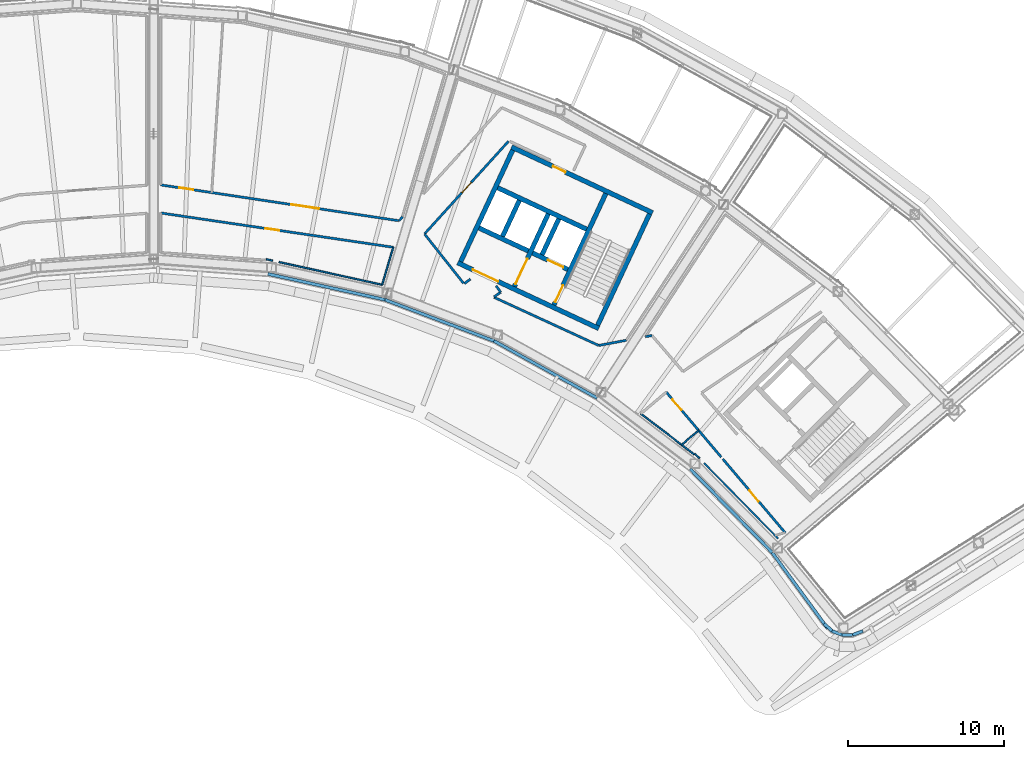
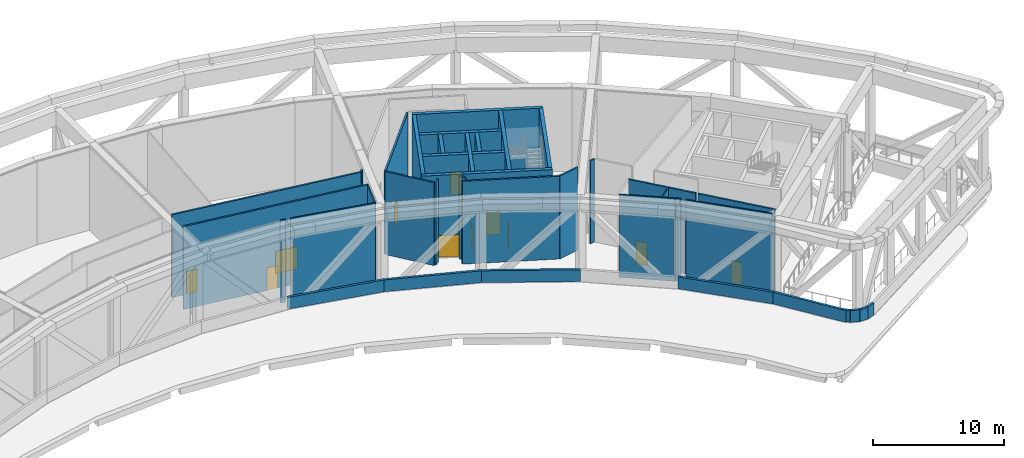
# One storey, part 10 of 27: 40 walls, 11 doors, 11 openings.
"""IFC4 building model written with IfcOpenShell, lengths in metres."""

from ifc_helpers import new_model, si_unit, direction, frame, frame_2d, origin, place, context, subcontext, project, spatial, rectangle, extrude, material, layer, layer_set, type_object, element, fill, save


model = new_model("IFC4")

# Units and contexts
model_context = context("Model", 3, precision=1e-05, world=origin(), true_north=direction((0.0, 1.0)))
body_context = subcontext(model_context, "Body", "Model", "MODEL_VIEW")
ifc_project = project(units=[si_unit("LENGTHUNIT", "METRE"), si_unit("AREAUNIT", "SQUARE_METRE"), si_unit("VOLUMEUNIT", "CUBIC_METRE"), si_unit("PLANEANGLEUNIT", "RADIAN"), si_unit("MASSUNIT", "GRAM", prefix="KILO")], contexts=[model_context])

# Site, building, storey
site_placement = place(None, origin())
site = spatial("IfcSite", under=ifc_project, at=site_placement, CompositionType="ELEMENT")
building_placement = place(site_placement, origin())
building = spatial("IfcBuilding", under=site, at=building_placement, Name="Tuul Gate Civic Tower", CompositionType="ELEMENT")
storey_placement = place(building_placement, frame((0.0, 0.0, 201.5)))
storey = spatial("IfcBuildingStorey", under=building, at=storey_placement, Name="Wind floor 1", CompositionType="ELEMENT", Elevation=201.5)

# Wall, opening, door
ifc_material_1 = material(Name="Concrete C50/60", Category="concrete")
ifc_layer_1 = layer(ifc_material_1, 0.300048828125)
ifc_layer_set_1 = layer_set([ifc_layer_1], Name="Concrete C50/60")
wall_type_1 = type_object("IfcWallType", Name="Core wall C50/60", PredefinedType="SHEAR", material=ifc_layer_set_1)
wall_1_placement = place(storey_placement, frame((34.5283203125, -7.25, 0.0), z_axis=(0.0, 0.0, 1.0), x_axis=(-0.906310338845, 0.422612789327, 0.0)))
wall_1 = element("IfcWall", 1, at=wall_1_placement, inside=storey, type_object=wall_type_1, Name="Core wall", PredefinedType="SHEAR", context=body_context, shape_type="SweptSolid", body=[
    extrude(rectangle(XDim=9.999755859375, YDim=0.300048828125, at=frame_2d((5.0, 0.0))), origin(), (0.0, 0.0, 1.0), 7.699951171875),
])
opening_1_placement = place(wall_1_placement, frame((7.125, 0.0, 0.0)))
opening_1 = element("IfcOpeningElement", 2, at=opening_1_placement, cuts=wall_1, Name="Opening LB-E3-LOBBY-1", PredefinedType="OPENING", context=body_context, shape_type="SweptSolid", body=[
    extrude(rectangle(XDim=1.800048828125, YDim=2.10009765625, at=frame_2d((0.89990234375, 1.050048828125))), frame((0.0, 0.16015625, 0.0), z_axis=(0.0, -1.0, 0.0), x_axis=(1.0, 0.0, 0.0)), (0.0, 0.0, 1.0), 0.320068359375),
])
ifc_material_2 = material(Name="Steel", Category="steel")
door_type_1 = type_object("IfcDoorType", Name="Lobby door", OperationType="DOUBLE_DOOR_SINGLE_SWING", PredefinedType="DOOR", material=ifc_material_2)
door_1_placement = place(opening_1_placement, frame((1.800048828125, 0.0, 0.0), z_axis=(0.0, 0.0, 1.0), x_axis=(-1.0, 0.0, 0.0)))
door_1 = element("IfcDoor", 3, at=door_1_placement, inside=storey, type_object=door_type_1, Name="Lobby door E3-LOBBY", OperationType="DOUBLE_DOOR_SINGLE_SWING", OverallHeight=2.10009765625, OverallWidth=1.800048828125, PredefinedType="DOOR", context=body_context, shape_type="SweptSolid", body=[
    extrude(rectangle(XDim=1.800048828125, YDim=2.10009765625, at=frame_2d((0.900146484375, 1.050048828125))), frame((0.0, 0.02490234375, 0.0), z_axis=(0.0, -1.0, 0.0), x_axis=(1.0, 0.0, 0.0)), (0.0, 0.0, 1.0), 0.050048828125),
])
fill(opening_1, door_1)

wall_2_placement = place(storey_placement, frame((32.545654296875, -3.456787109375, 0.0), z_axis=(0.0, 0.0, 1.0), x_axis=(-0.906300357825, 0.42263419337, 0.0)))
wall_2 = element("IfcWall", 4, at=wall_2_placement, inside=storey, type_object=wall_type_1, Name="Core wall", PredefinedType="SHEAR", context=body_context, shape_type="SweptSolid", body=[
    extrude(rectangle(XDim=2.500244140625, YDim=0.300048828125, at=frame_2d((1.25, 0.0))), origin(), (0.0, 0.0, 1.0), 7.699951171875),
])
opening_2_placement = place(wall_2_placement, frame((0.324951171875, 0.0, 0.0)))
opening_2 = element("IfcOpeningElement", 5, at=opening_2_placement, cuts=wall_2, Name="Opening LD-FF-2", PredefinedType="OPENING", context=body_context, shape_type="SweptSolid", body=[
    extrude(rectangle(XDim=1.10009765625, YDim=2.10009765625, at=frame_2d((0.550048828125, 1.050048828125))), frame((0.0, 0.16015625, 0.0), z_axis=(0.0, -1.0, 0.0), x_axis=(1.0, 0.0, 0.0)), (0.0, 0.0, 1.0), 0.320068359375),
])
ifc_material_3 = material(Name="Stainless steel", Category="steel")
door_type_2 = type_object("IfcDoorType", Name="Landing door", OperationType="DOUBLE_DOOR_SLIDING", PredefinedType="DOOR", material=ifc_material_3)
door_2_placement = place(opening_2_placement, origin())
door_2 = element("IfcDoor", 6, at=door_2_placement, inside=storey, type_object=door_type_2, Name="Fire-fighting lift FF-2 landing door", OperationType="DOUBLE_DOOR_SLIDING", OverallHeight=2.10009765625, OverallWidth=1.10009765625, PredefinedType="DOOR", context=body_context, shape_type="SweptSolid", body=[
    extrude(rectangle(XDim=1.10009765625, YDim=2.10009765625, at=frame_2d((0.550048828125, 1.050048828125))), frame((0.0, 0.02490234375, 0.0), z_axis=(0.0, -1.0, 0.0), x_axis=(1.0, 0.0, 0.0)), (0.0, 0.0, 1.0), 0.050048828125),
])
fill(opening_2, door_2)

# Walls
wall_3_placement = place(storey_placement, frame((30.0078125, -2.2734375, 0.0), z_axis=(0.0, 0.0, 1.0), x_axis=(-0.90630071767, 0.422633421716, 0.0)))
element("IfcWall", 7, at=wall_3_placement, inside=storey, type_object=wall_type_1, Name="Core wall", PredefinedType="SHEAR", context=body_context, shape_type="SweptSolid", body=[
    extrude(rectangle(XDim=3.5, YDim=0.300048828125, at=frame_2d((1.75, 0.0))), origin(), (0.0, 0.0, 1.0), 7.699951171875),
])
wall_4_placement = place(storey_placement, frame((33.75, -0.873779296875, 0.0), z_axis=(0.0, 0.0, 1.0), x_axis=(-0.906300917592, 0.422632992999, 0.0)))
element("IfcWall", 8, at=wall_4_placement, inside=storey, type_object=wall_type_1, Name="Core wall", PredefinedType="SHEAR", context=body_context, shape_type="SweptSolid", body=[
    extrude(rectangle(XDim=6.300048828125, YDim=0.300048828125, at=frame_2d((3.14990234375, 0.0))), origin(), (0.0, 0.0, 1.0), 7.699951171875),
])

# Wall, opening, door
wall_5_placement = place(storey_placement, frame((37.993408203125, 0.181884765625, 0.0), z_axis=(0.0, 0.0, 1.0), x_axis=(-0.906310338845, 0.422612789327, 0.0)))
wall_5 = element("IfcWall", 9, at=wall_5_placement, inside=storey, type_object=wall_type_1, Name="Core wall", PredefinedType="SHEAR", context=body_context, shape_type="SweptSolid", body=[
    extrude(rectangle(XDim=9.999755859375, YDim=0.300048828125, at=frame_2d((5.0, 0.0))), origin(), (0.0, 0.0, 1.0), 7.699951171875),
])
opening_3_placement = place(wall_5_placement, frame((6.175048828125, 0.0, 0.0)))
opening_3 = element("IfcOpeningElement", 10, at=opening_3_placement, cuts=wall_5, Name="Opening AF-D22", PredefinedType="OPENING", context=body_context, shape_type="SweptSolid", body=[
    extrude(rectangle(XDim=0.89990234375, YDim=2.10009765625, at=frame_2d((0.449951171875, 1.050048828125))), frame((0.0, 0.16015625, 0.0), z_axis=(0.0, -1.0, 0.0), x_axis=(1.0, 0.0, 0.0)), (0.0, 0.0, 1.0), 0.320068359375),
])
ifc_material_4 = material(Name="Timber door leaf", Category="wood")
door_type_3 = type_object("IfcDoorType", Name="Door D09", OperationType="NOTDEFINED", PredefinedType="DOOR", material=ifc_material_4)
door_3_placement = place(opening_3_placement, origin())
door_3 = element("IfcDoor", 11, at=door_3_placement, inside=storey, type_object=door_type_3, Name="Door AF-D22", OperationType="SINGLE_SWING_LEFT", OverallHeight=2.10009765625, OverallWidth=0.89990234375, PredefinedType="DOOR", context=body_context, shape_type="SweptSolid", body=[
    extrude(rectangle(XDim=0.89990234375, YDim=2.10009765625, at=frame_2d((0.449951171875, 1.050048828125))), frame((0.0, 0.02490234375, 0.0), z_axis=(0.0, -1.0, 0.0), x_axis=(1.0, 0.0, 0.0)), (0.0, 0.0, 1.0), 0.050048828125),
])
fill(opening_3, door_3)

# Wall
wall_6_placement = place(storey_placement, frame((34.455810546875, -7.05078125, 0.0), z_axis=(0.0, 0.0, 1.0), x_axis=(0.422570768258, 0.906329932096, 0.0)))
element("IfcWall", 12, at=wall_6_placement, inside=storey, type_object=wall_type_1, Name="Core wall", PredefinedType="SHEAR", context=body_context, shape_type="SweptSolid", body=[
    extrude(rectangle(XDim=7.900146484375, YDim=0.300048828125, at=frame_2d((3.9501953125, 0.0))), origin(), (0.0, 0.0, 1.0), 7.699951171875),
])

# Wall, opening, door
wall_7_placement = place(storey_placement, frame((31.646240234375, -5.740478515625, 0.0), z_axis=(0.0, 0.0, 1.0), x_axis=(0.422582604137, 0.906324413596, 0.0)))
wall_7 = element("IfcWall", 13, at=wall_7_placement, inside=storey, type_object=wall_type_1, Name="Core wall", PredefinedType="SHEAR", context=body_context, shape_type="SweptSolid", body=[
    extrude(rectangle(XDim=7.89990234375, YDim=0.300048828125, at=frame_2d((3.949951171875, 0.0))), origin(), (0.0, 0.0, 1.0), 7.699951171875),
])
opening_4_placement = place(wall_7_placement, frame((0.199951171875, 0.0, 0.0)))
opening_4 = element("IfcOpeningElement", 14, at=opening_4_placement, cuts=wall_7, Name="Opening SD-ST-4", PredefinedType="OPENING", context=body_context, shape_type="SweptSolid", body=[
    extrude(rectangle(XDim=1.199951171875, YDim=2.10009765625, at=frame_2d((0.60009765625, 1.050048828125))), frame((0.0, 0.16015625, 0.0), z_axis=(0.0, -1.0, 0.0), x_axis=(1.0, 0.0, 0.0)), (0.0, 0.0, 1.0), 0.320068359375),
])
ifc_material_5 = material(Name="Steel", Category="steel")
door_type_4 = type_object("IfcDoorType", Name="Stair door", OperationType="NOTDEFINED", PredefinedType="DOOR", material=ifc_material_5)
door_4_placement = place(opening_4_placement, origin())
door_4 = element("IfcDoor", 15, at=door_4_placement, inside=storey, type_object=door_type_4, Name="Stair door ST-4", OperationType="SINGLE_SWING_LEFT", OverallHeight=2.10009765625, OverallWidth=1.199951171875, PredefinedType="DOOR", context=body_context, shape_type="SweptSolid", body=[
    extrude(rectangle(XDim=1.199951171875, YDim=2.10009765625, at=frame_2d((0.60009765625, 1.050048828125))), frame((0.0, 0.02490234375, 0.0), z_axis=(0.0, -1.0, 0.0), x_axis=(1.0, 0.0, 0.0)), (0.0, 0.0, 1.0), 0.050048828125),
])
fill(opening_4, door_4)

# Wall
wall_8_placement = place(storey_placement, frame((30.886962890625, -2.517822265625, 0.0), z_axis=(0.0, 0.0, 1.0), x_axis=(0.422612891016, 0.906310291427, 0.0)))
element("IfcWall", 16, at=wall_8_placement, inside=storey, type_object=wall_type_1, Name="Core wall", PredefinedType="SHEAR", context=body_context, shape_type="SweptSolid", body=[
    extrude(rectangle(XDim=2.550048828125, YDim=0.300048828125, at=frame_2d((1.27490234375, 0.0))), origin(), (0.0, 0.0, 1.0), 7.699951171875),
])

# Wall, opening, door
wall_9_placement = place(storey_placement, frame((29.108642578125, -4.557373046875, 0.0), z_axis=(0.0, 0.0, 1.0), x_axis=(0.422566235356, 0.90633204552, 0.0)))
wall_9 = element("IfcWall", 17, at=wall_9_placement, inside=storey, type_object=wall_type_1, Name="Core wall", PredefinedType="SHEAR", context=body_context, shape_type="SweptSolid", body=[
    extrude(rectangle(XDim=5.150146484375, YDim=0.300048828125, at=frame_2d((2.5751953125, 0.0))), origin(), (0.0, 0.0, 1.0), 7.699951171875),
])
opening_5_placement = place(wall_9_placement, frame((0.175048828125, 0.0, 0.0)))
opening_5 = element("IfcOpeningElement", 18, at=opening_5_placement, cuts=wall_9, Name="Opening LB-E3-FLOBBY-1", PredefinedType="OPENING", context=body_context, shape_type="SweptSolid", body=[
    extrude(rectangle(XDim=1.800048828125, YDim=2.10009765625, at=frame_2d((0.89990234375, 1.050048828125))), frame((0.0, 0.16015625, 0.0), z_axis=(0.0, -1.0, 0.0), x_axis=(1.0, 0.0, 0.0)), (0.0, 0.0, 1.0), 0.320068359375),
])
door_5_placement = place(opening_5_placement, frame((1.800048828125, 0.0, 0.0), z_axis=(0.0, 0.0, 1.0), x_axis=(-1.0, 0.0, 0.0)))
door_5 = element("IfcDoor", 19, at=door_5_placement, inside=storey, type_object=door_type_1, Name="Lobby door E3-FLOBBY", OperationType="DOUBLE_DOOR_SINGLE_SWING", OverallHeight=2.10009765625, OverallWidth=1.800048828125, PredefinedType="DOOR", context=body_context, shape_type="SweptSolid", body=[
    extrude(rectangle(XDim=1.800048828125, YDim=2.10009765625, at=frame_2d((0.900146484375, 1.050048828125))), frame((0.0, 0.02490234375, 0.0), z_axis=(0.0, -1.0, 0.0), x_axis=(1.0, 0.0, 0.0)), (0.0, 0.0, 1.0), 0.050048828125),
])
fill(opening_5, door_5)

# Walls
wall_10_placement = place(storey_placement, frame((28.349365234375, -1.33447265625, 0.0), z_axis=(0.0, 0.0, 1.0), x_axis=(0.422612891016, 0.906310291427, 0.0)))
element("IfcWall", 20, at=wall_10_placement, inside=storey, type_object=wall_type_1, Name="Core wall", PredefinedType="SHEAR", context=body_context, shape_type="SweptSolid", body=[
    extrude(rectangle(XDim=2.550048828125, YDim=0.300048828125, at=frame_2d((1.27490234375, 0.0))), origin(), (0.0, 0.0, 1.0), 7.699951171875),
])
wall_11_placement = place(storey_placement, frame((25.66455078125, -2.951416015625, 0.0), z_axis=(0.0, 0.0, 1.0), x_axis=(0.422582604137, 0.906324413596, 0.0)))
element("IfcWall", 21, at=wall_11_placement, inside=storey, type_object=wall_type_1, Name="Core wall", PredefinedType="SHEAR", context=body_context, shape_type="SweptSolid", body=[
    extrude(rectangle(XDim=7.89990234375, YDim=0.300048828125, at=frame_2d((3.949951171875, 0.0))), origin(), (0.0, 0.0, 1.0), 7.699951171875),
])
ifc_material_6 = material(Name="Gypsum board partition")
ifc_layer_2 = layer(ifc_material_6, 0.14990234375)
ifc_layer_set_2 = layer_set([ifc_layer_2], Name="Gypsum board partition")
wall_type_2 = type_object("IfcWallType", Name="Corridor wall P150", PredefinedType="PARTITIONING", material=ifc_layer_set_2)
wall_12_placement = place(storey_placement, frame((25.898681640625, -4.36279296875, 0.0), z_axis=(0.0, 0.0, 1.0), x_axis=(0.806485112517, 0.591254398114, 0.0)))
element("IfcWall", 22, at=wall_12_placement, inside=storey, type_object=wall_type_2, Name="p004", PredefinedType="PARTITIONING", context=body_context, shape_type="SweptSolid", body=[
    extrude(rectangle(XDim=0.484375, YDim=0.14990234375, at=frame_2d((0.2421875, 0.0))), origin(), (0.0, 0.0, 1.0), 7.699951171875),
])
wall_13_placement = place(storey_placement, frame((27.80859375, -5.252197265625, 0.0), z_axis=(0.0, 0.0, 1.0), x_axis=(0.908529821111, -0.417820014064, 0.0)))
element("IfcWall", 23, at=wall_13_placement, inside=storey, type_object=wall_type_2, Name="p005", PredefinedType="PARTITIONING", context=body_context, shape_type="SweptSolid", body=[
    extrude(rectangle(XDim=7.392333984375, YDim=0.14990234375, at=frame_2d((3.6962890625, 0.0))), origin(), (0.0, 0.0, 1.0), 7.699951171875),
])
wall_14_placement = place(storey_placement, frame((23.345458984375, -1.1923828125, 0.0), z_axis=(0.0, 0.0, 1.0), x_axis=(0.620816419223, -0.78395597684, 0.0)))
element("IfcWall", 24, at=wall_14_placement, inside=storey, type_object=wall_type_2, Name="p006", PredefinedType="PARTITIONING", context=body_context, shape_type="SweptSolid", body=[
    extrude(rectangle(XDim=4.022705078125, YDim=0.14990234375, at=frame_2d((2.01123046875, 0.0))), origin(), (0.0, 0.0, 1.0), 7.699951171875),
])

# Wall, opening, door
wall_15_placement = place(storey_placement, frame((23.34619140625, -1.16650390625, 0.0), z_axis=(0.0, 0.0, 1.0), x_axis=(0.671473944782, 0.741028165105, 0.0)))
wall_15 = element("IfcWall", 25, at=wall_15_placement, inside=storey, type_object=wall_type_2, Name="p007", PredefinedType="PARTITIONING", context=body_context, shape_type="SweptSolid", body=[
    extrude(rectangle(XDim=8.013427734375, YDim=0.14990234375, at=frame_2d((4.0068359375, 0.0))), origin(), (0.0, 0.0, 1.0), 7.699951171875),
])
opening_6_placement = place(wall_15_placement, frame((3.556640625, 0.0, 0.0)))
opening_6 = element("IfcOpeningElement", 26, at=opening_6_placement, cuts=wall_15, Name="Opening AF-D02", PredefinedType="OPENING", context=body_context, shape_type="SweptSolid", body=[
    extrude(rectangle(XDim=0.89990234375, YDim=2.10009765625, at=frame_2d((0.449951171875, 1.050048828125))), frame((0.0, 0.0849609375, 0.0), z_axis=(0.0, -1.0, 0.0), x_axis=(1.0, 0.0, 0.0)), (0.0, 0.0, 1.0), 0.169921875),
])
door_6_placement = place(opening_6_placement, frame((0.89990234375, 0.0, 0.0), z_axis=(0.0, 0.0, 1.0), x_axis=(-1.0, 0.0, 0.0)))
door_6 = element("IfcDoor", 27, at=door_6_placement, inside=storey, type_object=door_type_3, Name="Door AF-D02", OperationType="SINGLE_SWING_LEFT", OverallHeight=2.10009765625, OverallWidth=0.89990234375, PredefinedType="DOOR", context=body_context, shape_type="SweptSolid", body=[
    extrude(rectangle(XDim=0.89990234375, YDim=2.10009765625, at=frame_2d((0.449951171875, 1.050048828125))), frame((0.0, 0.02490234375, 0.0), z_axis=(0.0, -1.0, 0.0), x_axis=(1.0, 0.0, 0.0)), (0.0, 0.0, 1.0), 0.050048828125),
])
fill(opening_6, door_6)

wall_16_placement = place(storey_placement, frame((38.869140625, -11.3408203125, 0.0), z_axis=(0.0, 0.0, 1.0), x_axis=(0.645739778474, -0.763557554148, 0.0)))
wall_16 = element("IfcWall", 28, at=wall_16_placement, inside=storey, type_object=wall_type_2, Name="p013", PredefinedType="PARTITIONING", context=body_context, shape_type="SweptSolid", body=[
    extrude(rectangle(XDim=5.460205078125, YDim=0.14990234375, at=frame_2d((2.72998046875, 0.0))), origin(), (0.0, 0.0, 1.0), 7.699951171875),
])
opening_7_placement = place(wall_16_placement, frame((0.610107421875, 0.0, 0.0)))
opening_7 = element("IfcOpeningElement", 29, at=opening_7_placement, cuts=wall_16, Name="Opening AF-D04", PredefinedType="OPENING", context=body_context, shape_type="SweptSolid", body=[
    extrude(rectangle(XDim=0.89990234375, YDim=2.10009765625, at=frame_2d((0.449951171875, 1.050048828125))), frame((0.0, 0.0849609375, 0.0), z_axis=(0.0, -1.0, 0.0), x_axis=(1.0, 0.0, 0.0)), (0.0, 0.0, 1.0), 0.169921875),
])
door_7_placement = place(opening_7_placement, frame((0.89990234375, 0.0, 0.0), z_axis=(0.0, 0.0, 1.0), x_axis=(-1.0, 0.0, 0.0)))
door_7 = element("IfcDoor", 30, at=door_7_placement, inside=storey, type_object=door_type_3, Name="Door AF-D04", OperationType="SINGLE_SWING_RIGHT", OverallHeight=2.10009765625, OverallWidth=0.89990234375, PredefinedType="DOOR", context=body_context, shape_type="SweptSolid", body=[
    extrude(rectangle(XDim=0.89990234375, YDim=2.10009765625, at=frame_2d((0.449951171875, 1.050048828125))), frame((0.0, 0.02490234375, 0.0), z_axis=(0.0, -1.0, 0.0), x_axis=(1.0, 0.0, 0.0)), (0.0, 0.0, 1.0), 0.050048828125),
])
fill(opening_7, door_7)

wall_17_placement = place(storey_placement, frame((42.504638671875, -15.639404296875, 0.0), z_axis=(0.0, 0.0, 1.0), x_axis=(0.645741528159, -0.763556074438, 0.0)))
wall_17 = element("IfcWall", 31, at=wall_17_placement, inside=storey, type_object=wall_type_2, Name="p014", PredefinedType="PARTITIONING", context=body_context, shape_type="SweptSolid", body=[
    extrude(rectangle(XDim=6.216796875, YDim=0.14990234375, at=frame_2d((3.1083984375, 0.0))), origin(), (0.0, 0.0, 1.0), 7.699951171875),
])
opening_8_placement = place(wall_17_placement, frame((2.658203125, 0.0, 0.0)))
opening_8 = element("IfcOpeningElement", 32, at=opening_8_placement, cuts=wall_17, Name="Opening AF-D17", PredefinedType="OPENING", context=body_context, shape_type="SweptSolid", body=[
    extrude(rectangle(XDim=0.89990234375, YDim=2.10009765625, at=frame_2d((0.449951171875, 1.050048828125))), frame((0.0, 0.0849609375, 0.0), z_axis=(0.0, -1.0, 0.0), x_axis=(1.0, 0.0, 0.0)), (0.0, 0.0, 1.0), 0.169921875),
])
door_8_placement = place(opening_8_placement, origin())
door_8 = element("IfcDoor", 33, at=door_8_placement, inside=storey, type_object=door_type_3, Name="Door AF-D17", OperationType="SINGLE_SWING_RIGHT", OverallHeight=2.10009765625, OverallWidth=0.89990234375, PredefinedType="DOOR", context=body_context, shape_type="SweptSolid", body=[
    extrude(rectangle(XDim=0.89990234375, YDim=2.10009765625, at=frame_2d((0.449951171875, 1.050048828125))), frame((0.0, 0.02490234375, 0.0), z_axis=(0.0, -1.0, 0.0), x_axis=(1.0, 0.0, 0.0)), (0.0, 0.0, 1.0), 0.050048828125),
])
fill(opening_8, door_8)

# Walls
wall_18_placement = place(storey_placement, frame((34.534912109375, -8.34130859375, 0.0), z_axis=(0.0, 0.0, 1.0), x_axis=(0.982835284032, 0.184485241851, 0.0)))
element("IfcWall", 34, at=wall_18_placement, inside=storey, type_object=wall_type_2, Name="p016", PredefinedType="PARTITIONING", context=body_context, shape_type="SweptSolid", body=[
    extrude(rectangle(XDim=1.79833984375, YDim=0.14990234375, at=frame_2d((0.899169921875, 0.0))), origin(), (0.0, 0.0, 1.0), 7.699951171875),
])
wall_19_placement = place(storey_placement, frame((37.527587890625, -7.779541015625, 0.0), z_axis=(0.0, 0.0, 1.0), x_axis=(0.982820398096, 0.184564528247, 0.0)))
element("IfcWall", 35, at=wall_19_placement, inside=storey, type_object=wall_type_2, Name="p017", PredefinedType="PARTITIONING", context=body_context, shape_type="SweptSolid", body=[
    extrude(rectangle(XDim=0.42724609375, YDim=0.14990234375, at=frame_2d((0.213623046875, 0.0))), origin(), (0.0, 0.0, 1.0), 7.699951171875),
])
wall_20_placement = place(storey_placement, frame((27.803955078125, -5.218994140625, 0.0), z_axis=(0.0, 0.0, 1.0), x_axis=(0.823182181644, 0.567777329438, 0.0)))
element("IfcWall", 36, at=wall_20_placement, inside=storey, type_object=wall_type_2, Name="p019", PredefinedType="PARTITIONING", context=body_context, shape_type="SweptSolid", body=[
    extrude(rectangle(XDim=0.51416015625, YDim=0.14990234375, at=frame_2d((0.257080078125, 0.0))), origin(), (0.0, 0.0, 1.0), 7.699951171875),
])
wall_21_placement = place(storey_placement, frame((27.938720703125, -4.50830078125, 0.0), z_axis=(0.0, 0.0, 1.0), x_axis=(0.567486106701, -0.823382972074, 0.0)))
element("IfcWall", 37, at=wall_21_placement, inside=storey, type_object=wall_type_2, Name="p020", PredefinedType="PARTITIONING", context=body_context, shape_type="SweptSolid", body=[
    extrude(rectangle(XDim=0.508544921875, YDim=0.14990234375, at=frame_2d((0.25439453125, 0.0))), origin(), (0.0, 0.0, 1.0), 7.699951171875),
])
wall_22_placement = place(storey_placement, frame((21.698974609375, -0.33349609375, 0.0), z_axis=(0.0, 0.0, 1.0), x_axis=(0.672004259583, 0.740547280802, 0.0)))
element("IfcWall", 38, at=wall_22_placement, inside=storey, type_object=wall_type_2, Name="p024", PredefinedType="PARTITIONING", context=body_context, shape_type="SweptSolid", body=[
    extrude(rectangle(XDim=0.345458984375, YDim=0.14990234375, at=frame_2d((0.1728515625, 0.0))), origin(), (0.0, 0.0, 1.0), 7.699951171875),
])

# Wall, openings, doors
wall_23_placement = place(storey_placement, frame((6.389892578125, 1.973388671875, 0.0), z_axis=(0.0, 0.0, 1.0), x_axis=(0.988870651874, -0.148777800303, 0.0)))
wall_23 = element("IfcWall", 39, at=wall_23_placement, inside=storey, type_object=wall_type_2, Name="p027", PredefinedType="PARTITIONING", context=body_context, shape_type="SweptSolid", body=[
    extrude(rectangle(XDim=15.44970703125, YDim=0.14990234375, at=frame_2d((7.724853515625, 0.0))), origin(), (0.0, 0.0, 1.0), 7.699951171875),
])
opening_9_placement = place(wall_23_placement, frame((8.47998046875, 0.0, 0.0)))
opening_9 = element("IfcOpeningElement", 40, at=opening_9_placement, cuts=wall_23, Name="Opening AF-D07", PredefinedType="OPENING", context=body_context, shape_type="SweptSolid", body=[
    extrude(rectangle(XDim=1.800048828125, YDim=2.10009765625, at=frame_2d((0.89990234375, 1.050048828125))), frame((0.0, 0.0849609375, 0.0), z_axis=(0.0, -1.0, 0.0), x_axis=(1.0, 0.0, 0.0)), (0.0, 0.0, 1.0), 0.169921875),
])
opening_10_placement = place(wall_23_placement, frame((1.205078125, 0.0, 0.0)))
opening_10 = element("IfcOpeningElement", 41, at=opening_10_placement, cuts=wall_23, Name="Opening AF-D08", PredefinedType="OPENING", context=body_context, shape_type="SweptSolid", body=[
    extrude(rectangle(XDim=0.89990234375, YDim=2.10009765625, at=frame_2d((0.449951171875, 1.050048828125))), frame((0.0, 0.0849609375, 0.0), z_axis=(0.0, -1.0, 0.0), x_axis=(1.0, 0.0, 0.0)), (0.0, 0.0, 1.0), 0.169921875),
])
door_9_placement = place(opening_10_placement, origin())
door_9 = element("IfcDoor", 42, at=door_9_placement, inside=storey, type_object=door_type_3, Name="Door AF-D08", OperationType="SINGLE_SWING_RIGHT", OverallHeight=2.10009765625, OverallWidth=0.89990234375, PredefinedType="DOOR", context=body_context, shape_type="SweptSolid", body=[
    extrude(rectangle(XDim=0.89990234375, YDim=2.10009765625, at=frame_2d((0.449951171875, 1.050048828125))), frame((0.0, 0.02490234375, 0.0), z_axis=(0.0, -1.0, 0.0), x_axis=(1.0, 0.0, 0.0)), (0.0, 0.0, 1.0), 0.050048828125),
])
fill(opening_10, door_9)
ifc_material_7 = material(Name="Timber door leaf, double", Category="wood")
door_type_5 = type_object("IfcDoorType", Name="Door D18", OperationType="DOUBLE_DOOR_SINGLE_SWING", PredefinedType="DOOR", material=ifc_material_7)
door_10_placement = place(opening_9_placement, origin())
door_10 = element("IfcDoor", 43, at=door_10_placement, inside=storey, type_object=door_type_5, Name="Door AF-D07", OperationType="DOUBLE_DOOR_SINGLE_SWING", OverallHeight=2.10009765625, OverallWidth=1.800048828125, PredefinedType="DOOR", context=body_context, shape_type="SweptSolid", body=[
    extrude(rectangle(XDim=1.800048828125, YDim=2.10009765625, at=frame_2d((0.89990234375, 1.050048828125))), frame((0.0, 0.02490234375, 0.0), z_axis=(0.0, -1.0, 0.0), x_axis=(1.0, 0.0, 0.0)), (0.0, 0.0, 1.0), 0.050048828125),
])
fill(opening_9, door_10)

# Wall, opening, door
wall_24_placement = place(storey_placement, frame((6.389892578125, 0.169677734375, 0.0), z_axis=(0.0, 0.0, 1.0), x_axis=(0.989306506707, -0.145851416817, 0.0)))
wall_24 = element("IfcWall", 44, at=wall_24_placement, inside=storey, type_object=wall_type_2, Name="p028", PredefinedType="PARTITIONING", context=body_context, shape_type="SweptSolid", body=[
    extrude(rectangle(XDim=15.101806640625, YDim=0.14990234375, at=frame_2d((7.55078125, 0.0))), origin(), (0.0, 0.0, 1.0), 7.699951171875),
])
opening_11_placement = place(wall_24_placement, frame((6.801025390625, 0.0, 0.0)))
opening_11 = element("IfcOpeningElement", 45, at=opening_11_placement, cuts=wall_24, Name="Opening AF-D09", PredefinedType="OPENING", context=body_context, shape_type="SweptSolid", body=[
    extrude(rectangle(XDim=0.89990234375, YDim=2.10009765625, at=frame_2d((0.449951171875, 1.050048828125))), frame((0.0, 0.0849609375, 0.0), z_axis=(0.0, -1.0, 0.0), x_axis=(1.0, 0.0, 0.0)), (0.0, 0.0, 1.0), 0.169921875),
])
door_11_placement = place(opening_11_placement, frame((0.89990234375, 0.0, 0.0), z_axis=(0.0, 0.0, 1.0), x_axis=(-1.0, 0.0, 0.0)))
door_11 = element("IfcDoor", 46, at=door_11_placement, inside=storey, type_object=door_type_3, Name="Door AF-D09", OperationType="SINGLE_SWING_LEFT", OverallHeight=2.10009765625, OverallWidth=0.89990234375, PredefinedType="DOOR", context=body_context, shape_type="SweptSolid", body=[
    extrude(rectangle(XDim=0.89990234375, YDim=2.10009765625, at=frame_2d((0.449951171875, 1.050048828125))), frame((0.0, 0.02490234375, 0.0), z_axis=(0.0, -1.0, 0.0), x_axis=(1.0, 0.0, 0.0)), (0.0, 0.0, 1.0), 0.050048828125),
])
fill(opening_11, door_11)

# Walls
ifc_material_8 = material(Name="Concrete C40/50", Category="concrete")
ifc_layer_3 = layer(ifc_material_8, 0.199951171875)
ifc_layer_set_3 = layer_set([ifc_layer_3], Name="Concrete C40/50")
wall_type_3 = type_object("IfcWallType", Name="Crown parapet", PredefinedType="PARAPET", material=ifc_layer_set_3)
wall_25_placement = place(storey_placement, frame((13.275390625, -3.747314453125, 0.0), z_axis=(0.0, 0.0, 1.0), x_axis=(0.976569642, -0.215201613202, 0.0)))
element("IfcWall", 47, at=wall_25_placement, inside=storey, type_object=wall_type_3, Name="Parapet", PredefinedType="PARAPET", context=body_context, shape_type="SweptSolid", body=[
    extrude(rectangle(XDim=7.701904296875, YDim=0.199951171875, at=frame_2d((3.85107421875, 0.0))), origin(), (0.0, 0.0, 1.0), 1.10009765625),
])
wall_26_placement = place(storey_placement, frame((20.695556640625, -5.366455078125, 0.0), z_axis=(0.0, 0.0, 1.0), x_axis=(0.935316005676, -0.353813467136, 0.0)))
element("IfcWall", 48, at=wall_26_placement, inside=storey, type_object=wall_type_3, Name="Parapet", PredefinedType="PARAPET", context=body_context, shape_type="SweptSolid", body=[
    extrude(rectangle(XDim=7.634521484375, YDim=0.199951171875, at=frame_2d((3.8173828125, 0.0))), origin(), (0.0, 0.0, 1.0), 1.10009765625),
])
wall_27_placement = place(storey_placement, frame((27.79638671875, -8.04541015625, 0.0), z_axis=(0.0, 0.0, 1.0), x_axis=(0.874643517098, -0.484766663456, 0.0)))
element("IfcWall", 49, at=wall_27_placement, inside=storey, type_object=wall_type_3, Name="Parapet", PredefinedType="PARAPET", context=body_context, shape_type="SweptSolid", body=[
    extrude(rectangle(XDim=7.572021484375, YDim=0.199951171875, at=frame_2d((3.7861328125, 0.0))), origin(), (0.0, 0.0, 1.0), 1.10009765625),
])
wall_28_placement = place(storey_placement, frame((40.407470703125, -16.276123046875, 0.0), z_axis=(0.0, 0.0, 1.0), x_axis=(0.700082112872, -0.714062346883, 0.0)))
element("IfcWall", 50, at=wall_28_placement, inside=storey, type_object=wall_type_3, Name="Parapet", PredefinedType="PARAPET", context=body_context, shape_type="SweptSolid", body=[
    extrude(rectangle(XDim=7.526611328125, YDim=0.199951171875, at=frame_2d((3.76318359375, 0.0))), origin(), (0.0, 0.0, 1.0), 1.10009765625),
])
wall_29_placement = place(storey_placement, frame((45.6767578125, -21.65087890625, 0.0), z_axis=(0.0, 0.0, 1.0), x_axis=(0.58981626767, -0.807537473057, 0.0)))
element("IfcWall", 51, at=wall_29_placement, inside=storey, type_object=wall_type_3, Name="Parapet", PredefinedType="PARAPET", context=body_context, shape_type="SweptSolid", body=[
    extrude(rectangle(XDim=6.05078125, YDim=0.199951171875, at=frame_2d((3.025390625, 0.0))), origin(), (0.0, 0.0, 1.0), 1.10009765625),
])
wall_30_placement = place(storey_placement, frame((49.00390625, -26.2060546875, 0.0), z_axis=(0.0, 0.0, 1.0), x_axis=(0.730176325427, -0.68325876049, 0.0)))
element("IfcWall", 52, at=wall_30_placement, inside=storey, type_object=wall_type_3, Name="Parapet", PredefinedType="PARAPET", context=body_context, shape_type="SweptSolid", body=[
    extrude(rectangle(XDim=0.702392578125, YDim=0.199951171875, at=frame_2d((0.35107421875, 0.0))), origin(), (0.0, 0.0, 1.0), 1.10009765625),
])
wall_31_placement = place(storey_placement, frame((49.516845703125, -26.68603515625, 0.0), z_axis=(0.0, 0.0, 1.0), x_axis=(0.929233590569, -0.36949280664, 0.0)))
element("IfcWall", 53, at=wall_31_placement, inside=storey, type_object=wall_type_3, Name="Parapet", PredefinedType="PARAPET", context=body_context, shape_type="SweptSolid", body=[
    extrude(rectangle(XDim=0.687744140625, YDim=0.199951171875, at=frame_2d((0.34375, 0.0))), origin(), (0.0, 0.0, 1.0), 1.10009765625),
])
wall_32_placement = place(storey_placement, frame((50.156005859375, -26.940185546875, 0.0), z_axis=(0.0, 0.0, 1.0), x_axis=(0.999992386922, -0.003902063234, 0.0)))
element("IfcWall", 54, at=wall_32_placement, inside=storey, type_object=wall_type_3, Name="Parapet", PredefinedType="PARAPET", context=body_context, shape_type="SweptSolid", body=[
    extrude(rectangle(XDim=0.688232421875, YDim=0.199951171875, at=frame_2d((0.34423828125, 0.0))), origin(), (0.0, 0.0, 1.0), 1.10009765625),
])
wall_33_placement = place(storey_placement, frame((50.84423828125, -26.94287109375, 0.0), z_axis=(0.0, 0.0, 1.0), x_axis=(0.931913281541, 0.362681176361, 0.0)))
element("IfcWall", 55, at=wall_33_placement, inside=storey, type_object=wall_type_3, Name="Parapet", PredefinedType="PARAPET", context=body_context, shape_type="SweptSolid", body=[
    extrude(rectangle(XDim=0.7021484375, YDim=0.199951171875, at=frame_2d((0.35107421875, 0.0))), origin(), (0.0, 0.0, 1.0), 1.10009765625),
])
ifc_material_9 = material(Name="Gypsum board partition")
ifc_layer_4 = layer(ifc_material_9, 0.10009765625)
ifc_layer_set_4 = layer_set([ifc_layer_4], Name="Gypsum board partition")
wall_type_4 = type_object("IfcWallType", Name="Partition P100", PredefinedType="PARTITIONING", material=ifc_layer_set_4)
wall_34_placement = place(storey_placement, frame((39.85498046875, -14.724365234375, 0.0), z_axis=(0.0, 0.0, 1.0), x_axis=(0.763547916756, 0.645751174073, 0.0)))
element("IfcWall", 56, at=wall_34_placement, inside=storey, type_object=wall_type_4, Name="p015", PredefinedType="PARTITIONING", context=body_context, shape_type="SweptSolid", body=[
    extrude(rectangle(XDim=1.43212890625, YDim=0.10009765625, at=frame_2d((0.716064453125, 0.0))), origin(), (0.0, 0.0, 1.0), 7.699951171875),
])
wall_35_placement = place(storey_placement, frame((40.6689453125, -15.34423828125, 0.0), z_axis=(0.0, 0.0, 1.0), x_axis=(-0.795598993906, 0.605823605429, 0.0)))
element("IfcWall", 57, at=wall_35_placement, inside=storey, type_object=wall_type_4, Name="p055", PredefinedType="PARTITIONING", context=body_context, shape_type="SweptSolid", body=[
    extrude(rectangle(XDim=4.3212890625, YDim=0.10009765625, at=frame_2d((2.16064453125, 0.0))), origin(), (0.0, 0.0, 1.0), 7.699951171875),
])
wall_36_placement = place(storey_placement, frame((21.330322265625, -2.032958984375, 0.0), z_axis=(0.0, 0.0, 1.0), x_axis=(-0.285218559638, -0.958462504868, 0.0)))
element("IfcWall", 58, at=wall_36_placement, inside=storey, type_object=wall_type_4, Name="p070", PredefinedType="PARTITIONING", context=body_context, shape_type="SweptSolid", body=[
    extrude(rectangle(XDim=2.514892578125, YDim=0.10009765625, at=frame_2d((1.25732421875, 0.0))), origin(), (0.0, 0.0, 1.0), 7.699951171875),
])
wall_37_placement = place(storey_placement, frame((20.613037109375, -4.443359375, 0.0), z_axis=(0.0, 0.0, 1.0), x_axis=(-0.976561614481, 0.215238038279, 0.0)))
element("IfcWall", 59, at=wall_37_placement, inside=storey, type_object=wall_type_4, Name="p071", PredefinedType="PARTITIONING", context=body_context, shape_type="SweptSolid", body=[
    extrude(rectangle(XDim=6.782958984375, YDim=0.10009765625, at=frame_2d((3.3916015625, 0.0))), origin(), (0.0, 0.0, 1.0), 7.699951171875),
])
wall_38_placement = place(storey_placement, frame((13.576904296875, -2.892578125, 0.0), z_axis=(0.0, 0.0, 1.0), x_axis=(-0.976543679102, 0.21531939719, 0.0)))
element("IfcWall", 60, at=wall_38_placement, inside=storey, type_object=wall_type_4, Name="p072", PredefinedType="PARTITIONING", context=body_context, shape_type="SweptSolid", body=[
    extrude(rectangle(XDim=0.417236328125, YDim=0.10009765625, at=frame_2d((0.20849609375, 0.0))), origin(), (0.0, 0.0, 1.0), 7.699951171875),
])
wall_39_placement = place(storey_placement, frame((46.04931640625, -20.7451171875, 0.0), z_axis=(0.0, 0.0, 1.0), x_axis=(-0.70009083983, 0.714053790681, 0.0)))
element("IfcWall", 61, at=wall_39_placement, inside=storey, type_object=wall_type_4, Name="p109", PredefinedType="PARTITIONING", context=body_context, shape_type="SweptSolid", body=[
    extrude(rectangle(XDim=6.7841796875, YDim=0.10009765625, at=frame_2d((3.39208984375, 0.0))), origin(), (0.0, 0.0, 1.0), 7.699951171875),
])
wall_40_placement = place(storey_placement, frame((41.00439453125, -15.599609375, 0.0), z_axis=(0.0, 0.0, 1.0), x_axis=(-0.699755461265, 0.714382456693, 0.0)))
element("IfcWall", 62, at=wall_40_placement, inside=storey, type_object=wall_type_4, Name="p110", PredefinedType="PARTITIONING", context=body_context, shape_type="SweptSolid", body=[
    extrude(rectangle(XDim=0.417236328125, YDim=0.10009765625, at=frame_2d((0.20849609375, 0.0))), origin(), (0.0, 0.0, 1.0), 7.699951171875),
])

save(model, "model.ifc")
